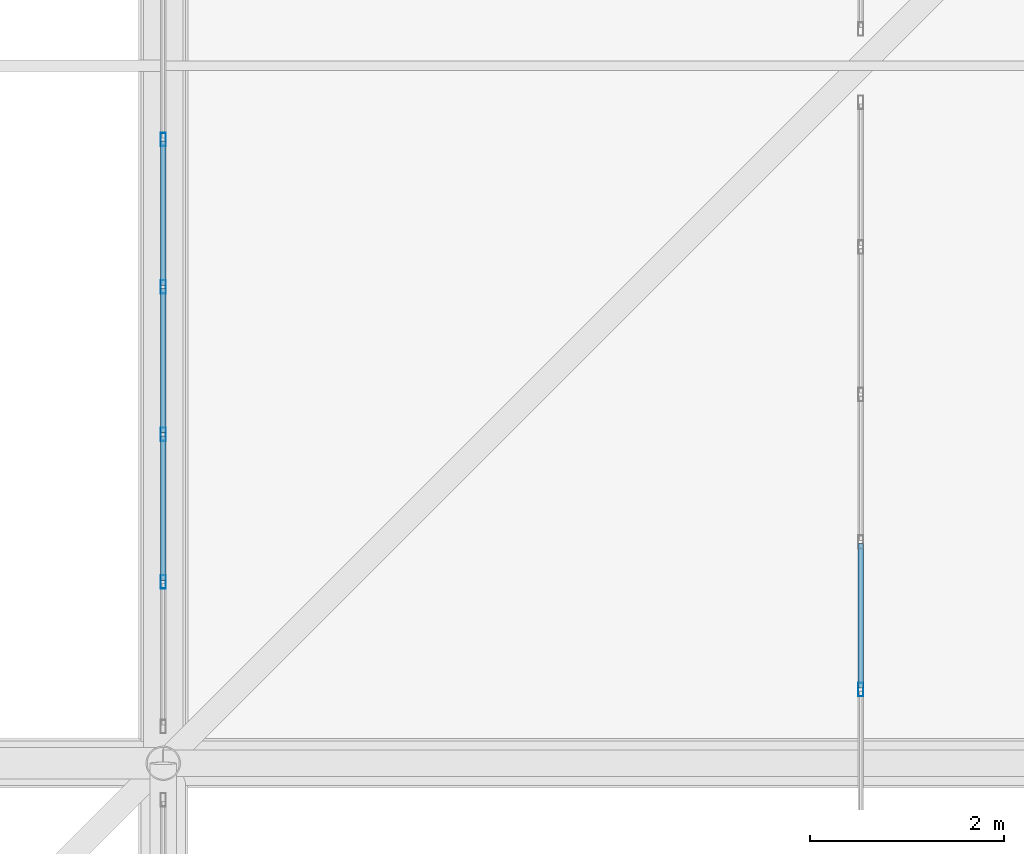
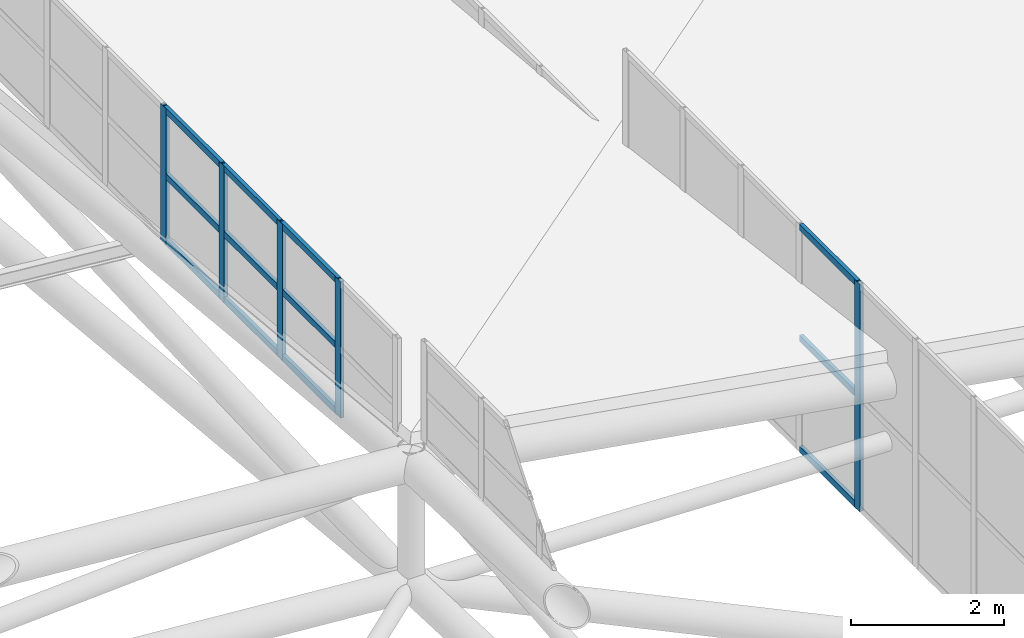
# One storey, part 290 of 397: 17 members, 2 elements without a shape of their own.
"""IFC4 building model written with IfcOpenShell, lengths in metres."""

from ifc_helpers import new_model, si_unit, direction, frame, origin, origin_2d, place, context, subcontext, project, spatial, hollow_rectangle, extrude, material, material_profile, profile_set, type_object, element, aggregate, save


model = new_model("IFC4")

# Units and contexts
model_context = context("Model", 3, precision=1e-05, world=origin(), true_north=direction((0.0, 1.0)))
body_context = subcontext(model_context, "Body", "Model", "MODEL_VIEW")
ifc_project = project(units=[si_unit("LENGTHUNIT", "METRE"), si_unit("AREAUNIT", "SQUARE_METRE"), si_unit("VOLUMEUNIT", "CUBIC_METRE"), si_unit("PLANEANGLEUNIT", "RADIAN"), si_unit("MASSUNIT", "GRAM", prefix="KILO")], contexts=[model_context])

# Site, building, storey
site_placement = place(None, origin())
site = spatial("IfcSite", under=ifc_project, at=site_placement, CompositionType="ELEMENT")
building_placement = place(site_placement, origin())
building = spatial("IfcBuilding", under=site, at=building_placement, Name="Qandorah Velis Arena", CompositionType="ELEMENT")
storey_placement = place(building_placement, frame((0.0, 0.0, 27.5)))
storey = spatial("IfcBuildingStorey", under=building, at=storey_placement, Name="RF", CompositionType="ELEMENT", Elevation=27.5)

# Curtain wall, member
ifc_material_1 = material(Name="Solar-control low-E double glazing", Category="glass")
curtain_wall_type_1 = type_object("IfcCurtainWallType", Name="ARC-CW-SYS17", PredefinedType="USERDEFINED", material=ifc_material_1)
curtain_wall_1_placement = place(storey_placement, origin())
curtain_wall_1 = element("IfcCurtainWall", 1, at=curtain_wall_1_placement, inside=storey, type_object=curtain_wall_type_1, Name="Unitised curtain wall MON-2-5", ObjectType="UNITISED CURTAIN WALL", PredefinedType="USERDEFINED")
ifc_material_2 = material(Name="Champagne-bronze anodized aluminium 6063-T6", Category="aluminium")
ifc_material_profile_1 = material_profile(ifc_material_2, hollow_rectangle(XDim=0.054931640625, YDim=0.139892578125, WallThickness=0.0029296875, at=origin_2d()), Name="ALU MULLION 55x140")
ifc_profile_set_1 = profile_set([ifc_material_profile_1], Name="Champagne-bronze anodized aluminium 6063-T6")
member_type_1 = type_object("IfcMemberType", Name="ARC-CWM-140", PredefinedType="MULLION", material=ifc_profile_set_1)
member_1_placement = place(storey_placement, frame((108.0, 87.1611328125, 5.13427734375), z_axis=(0.0, 0.0, 1.0), x_axis=(-1.0, 0.0, 0.0)))
member_1 = element("IfcMember", 2, at=member_1_placement, type_object=member_type_1, Name="CW17 mullion 6", PredefinedType="MULLION", context=body_context, shape_type="SweptSolid", body=[
    extrude(hollow_rectangle(XDim=0.054931640625, YDim=0.139892578125, WallThickness=0.0029296875, at=origin_2d()), origin(), (0.0, 0.0, 1.0), 3.630126953125),
])

# Curtain wall, members
curtain_wall_type_2 = type_object("IfcCurtainWallType", Name="ARC-CW-SYS15", PredefinedType="USERDEFINED", material=ifc_material_1)
curtain_wall_2_placement = place(storey_placement, origin())
curtain_wall_2 = element("IfcCurtainWall", 3, at=curtain_wall_2_placement, inside=storey, type_object=curtain_wall_type_2, Name="Unitised curtain wall OCULUS-2-5", ObjectType="UNITISED CURTAIN WALL", PredefinedType="USERDEFINED")
member_2_placement = place(storey_placement, frame((100.800048828125, 88.272216796875, 8.470947265625), z_axis=(0.0, 0.0, 1.0), x_axis=(-1.0, 0.0, 0.0)))
member_2 = element("IfcMember", 4, at=member_2_placement, type_object=member_type_1, Name="CW15 mullion 2", PredefinedType="MULLION", context=body_context, shape_type="SweptSolid", body=[
    extrude(hollow_rectangle(XDim=0.054931640625, YDim=0.139892578125, WallThickness=0.0029296875, at=origin_2d()), origin(), (0.0, 0.0, 1.0), 2.179931640625),
])
member_3_placement = place(storey_placement, frame((100.800048828125, 89.79443359375, 8.470947265625), z_axis=(0.0, 0.0, 1.0), x_axis=(-1.0, 0.0, 0.0)))
member_3 = element("IfcMember", 5, at=member_3_placement, type_object=member_type_1, Name="CW15 mullion 3", PredefinedType="MULLION", context=body_context, shape_type="SweptSolid", body=[
    extrude(hollow_rectangle(XDim=0.054931640625, YDim=0.139892578125, WallThickness=0.0029296875, at=origin_2d()), origin(), (0.0, 0.0, 1.0), 2.179931640625),
])
member_4_placement = place(storey_placement, frame((100.800048828125, 91.316650390625, 8.470947265625), z_axis=(0.0, 0.0, 1.0), x_axis=(-1.0, 0.0, 0.0)))
member_4 = element("IfcMember", 6, at=member_4_placement, type_object=member_type_1, Name="CW15 mullion 4", PredefinedType="MULLION", context=body_context, shape_type="SweptSolid", body=[
    extrude(hollow_rectangle(XDim=0.054931640625, YDim=0.139892578125, WallThickness=0.0029296875, at=origin_2d()), origin(), (0.0, 0.0, 1.0), 2.179931640625),
])
member_5_placement = place(storey_placement, frame((100.800048828125, 92.8388671875, 8.470947265625), z_axis=(0.0, 0.0, 1.0), x_axis=(-1.0, 0.0, 0.0)))
member_5 = element("IfcMember", 7, at=member_5_placement, type_object=member_type_1, Name="CW15 mullion 5", PredefinedType="MULLION", context=body_context, shape_type="SweptSolid", body=[
    extrude(hollow_rectangle(XDim=0.054931640625, YDim=0.139892578125, WallThickness=0.0029296875, at=origin_2d()), origin(), (0.0, 0.0, 1.0), 2.179931640625),
])

# Member
ifc_material_profile_2 = material_profile(ifc_material_2, hollow_rectangle(XDim=0.054931640625, YDim=0.10009765625, WallThickness=0.0029296875, at=origin_2d()), Name="ALU TRANSOM 55x100")
ifc_profile_set_2 = profile_set([ifc_material_profile_2], Name="Champagne-bronze anodized aluminium 6063-T6")
member_type_2 = type_object("IfcMemberType", Name="ARC-CWT-100", PredefinedType="USERDEFINED", material=ifc_profile_set_2)
member_6_placement = place(storey_placement, frame((108.0, 87.176513671875, 5.1767578125), z_axis=(0.0, 1.0, 0.0), x_axis=(-1.0, 0.0, 0.0)))
member_6 = element("IfcMember", 8, at=member_6_placement, type_object=member_type_2, Name="CW17 transom 6.1", ObjectType="TRANSOM", PredefinedType="USERDEFINED", context=body_context, shape_type="SweptSolid", body=[
    extrude(hollow_rectangle(XDim=0.054931640625, YDim=0.10009765625, WallThickness=0.0029296875, at=origin_2d()), origin(), (0.0, 0.0, 1.0), 1.4912109375),
])

member_7_placement = place(storey_placement, frame((108.0, 87.176513671875, 6.94921875), z_axis=(0.0, 1.0, 0.0), x_axis=(-1.0, 0.0, 0.0)))
member_7 = element("IfcMember", 9, at=member_7_placement, type_object=member_type_2, Name="CW17 transom 6.2", ObjectType="TRANSOM", PredefinedType="USERDEFINED", context=body_context, shape_type="SweptSolid", body=[
    extrude(hollow_rectangle(XDim=0.054931640625, YDim=0.10009765625, WallThickness=0.0029296875, at=origin_2d()), origin(), (0.0, 0.0, 1.0), 1.4912109375),
])

member_8_placement = place(storey_placement, frame((108.0, 87.176513671875, 8.7216796875), z_axis=(0.0, 1.0, 0.0), x_axis=(-1.0, 0.0, 0.0)))
member_8 = element("IfcMember", 10, at=member_8_placement, type_object=member_type_2, Name="CW17 transom 6.3", ObjectType="TRANSOM", PredefinedType="USERDEFINED", context=body_context, shape_type="SweptSolid", body=[
    extrude(hollow_rectangle(XDim=0.054931640625, YDim=0.10009765625, WallThickness=0.0029296875, at=origin_2d()), origin(), (0.0, 0.0, 1.0), 1.4912109375),
])

aggregate(curtain_wall_1, [member_1, member_6, member_7, member_8])

member_9_placement = place(storey_placement, frame((100.800048828125, 88.28759765625, 8.513427734375), z_axis=(0.0, 1.0, 0.0), x_axis=(-1.0, 0.0, 0.0)))
member_9 = element("IfcMember", 11, at=member_9_placement, type_object=member_type_2, Name="CW15 transom 2.1", ObjectType="TRANSOM", PredefinedType="USERDEFINED", context=body_context, shape_type="SweptSolid", body=[
    extrude(hollow_rectangle(XDim=0.054931640625, YDim=0.10009765625, WallThickness=0.0029296875, at=origin_2d()), origin(), (0.0, 0.0, 1.0), 1.4912109375),
])

member_10_placement = place(storey_placement, frame((100.800048828125, 88.28759765625, 9.56103515625), z_axis=(0.0, 1.0, 0.0), x_axis=(-1.0, 0.0, 0.0)))
member_10 = element("IfcMember", 12, at=member_10_placement, type_object=member_type_2, Name="CW15 transom 2.2", ObjectType="TRANSOM", PredefinedType="USERDEFINED", context=body_context, shape_type="SweptSolid", body=[
    extrude(hollow_rectangle(XDim=0.054931640625, YDim=0.10009765625, WallThickness=0.0029296875, at=origin_2d()), origin(), (0.0, 0.0, 1.0), 1.4912109375),
])

member_11_placement = place(storey_placement, frame((100.800048828125, 88.28759765625, 10.6083984375), z_axis=(0.0, 1.0, 0.0), x_axis=(-1.0, 0.0, 0.0)))
member_11 = element("IfcMember", 13, at=member_11_placement, type_object=member_type_2, Name="CW15 transom 2.3", ObjectType="TRANSOM", PredefinedType="USERDEFINED", context=body_context, shape_type="SweptSolid", body=[
    extrude(hollow_rectangle(XDim=0.054931640625, YDim=0.10009765625, WallThickness=0.0029296875, at=origin_2d()), origin(), (0.0, 0.0, 1.0), 1.4912109375),
])

member_12_placement = place(storey_placement, frame((100.800048828125, 89.809814453125, 8.513427734375), z_axis=(0.0, 1.0, 0.0), x_axis=(-1.0, 0.0, 0.0)))
member_12 = element("IfcMember", 14, at=member_12_placement, type_object=member_type_2, Name="CW15 transom 3.1", ObjectType="TRANSOM", PredefinedType="USERDEFINED", context=body_context, shape_type="SweptSolid", body=[
    extrude(hollow_rectangle(XDim=0.054931640625, YDim=0.10009765625, WallThickness=0.0029296875, at=origin_2d()), origin(), (0.0, 0.0, 1.0), 1.491455078125),
])

member_13_placement = place(storey_placement, frame((100.800048828125, 89.809814453125, 9.56103515625), z_axis=(0.0, 1.0, 0.0), x_axis=(-1.0, 0.0, 0.0)))
member_13 = element("IfcMember", 15, at=member_13_placement, type_object=member_type_2, Name="CW15 transom 3.2", ObjectType="TRANSOM", PredefinedType="USERDEFINED", context=body_context, shape_type="SweptSolid", body=[
    extrude(hollow_rectangle(XDim=0.054931640625, YDim=0.10009765625, WallThickness=0.0029296875, at=origin_2d()), origin(), (0.0, 0.0, 1.0), 1.491455078125),
])

member_14_placement = place(storey_placement, frame((100.800048828125, 89.809814453125, 10.6083984375), z_axis=(0.0, 1.0, 0.0), x_axis=(-1.0, 0.0, 0.0)))
member_14 = element("IfcMember", 16, at=member_14_placement, type_object=member_type_2, Name="CW15 transom 3.3", ObjectType="TRANSOM", PredefinedType="USERDEFINED", context=body_context, shape_type="SweptSolid", body=[
    extrude(hollow_rectangle(XDim=0.054931640625, YDim=0.10009765625, WallThickness=0.0029296875, at=origin_2d()), origin(), (0.0, 0.0, 1.0), 1.491455078125),
])

member_15_placement = place(storey_placement, frame((100.800048828125, 91.332275390625, 8.513427734375), z_axis=(0.0, 1.0, 0.0), x_axis=(-1.0, 0.0, 0.0)))
member_15 = element("IfcMember", 17, at=member_15_placement, type_object=member_type_2, Name="CW15 transom 4.1", ObjectType="TRANSOM", PredefinedType="USERDEFINED", context=body_context, shape_type="SweptSolid", body=[
    extrude(hollow_rectangle(XDim=0.054931640625, YDim=0.10009765625, WallThickness=0.0029296875, at=origin_2d()), origin(), (0.0, 0.0, 1.0), 1.4912109375),
])

member_16_placement = place(storey_placement, frame((100.800048828125, 91.332275390625, 9.56103515625), z_axis=(0.0, 1.0, 0.0), x_axis=(-1.0, 0.0, 0.0)))
member_16 = element("IfcMember", 18, at=member_16_placement, type_object=member_type_2, Name="CW15 transom 4.2", ObjectType="TRANSOM", PredefinedType="USERDEFINED", context=body_context, shape_type="SweptSolid", body=[
    extrude(hollow_rectangle(XDim=0.054931640625, YDim=0.10009765625, WallThickness=0.0029296875, at=origin_2d()), origin(), (0.0, 0.0, 1.0), 1.4912109375),
])

member_17_placement = place(storey_placement, frame((100.800048828125, 91.332275390625, 10.6083984375), z_axis=(0.0, 1.0, 0.0), x_axis=(-1.0, 0.0, 0.0)))
member_17 = element("IfcMember", 19, at=member_17_placement, type_object=member_type_2, Name="CW15 transom 4.3", ObjectType="TRANSOM", PredefinedType="USERDEFINED", context=body_context, shape_type="SweptSolid", body=[
    extrude(hollow_rectangle(XDim=0.054931640625, YDim=0.10009765625, WallThickness=0.0029296875, at=origin_2d()), origin(), (0.0, 0.0, 1.0), 1.4912109375),
])

aggregate(curtain_wall_2, [member_2, member_3, member_4, member_5, member_9, member_10, member_11, member_12, member_13, member_14, member_15, member_16, member_17])

save(model, "model.ifc")
